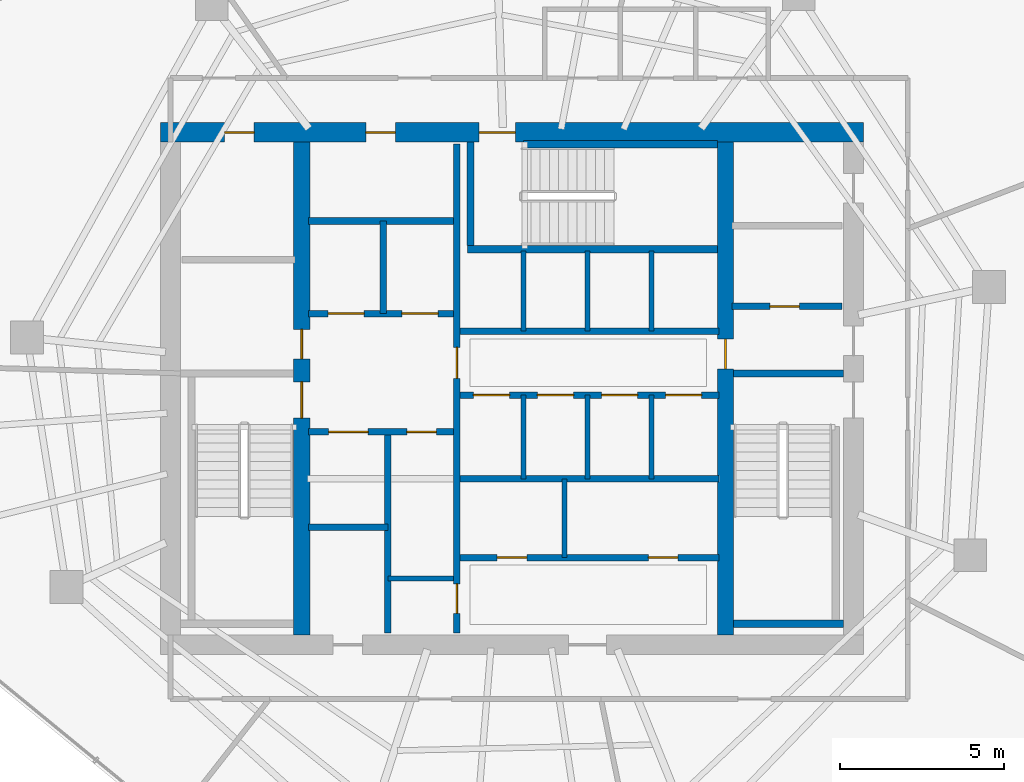
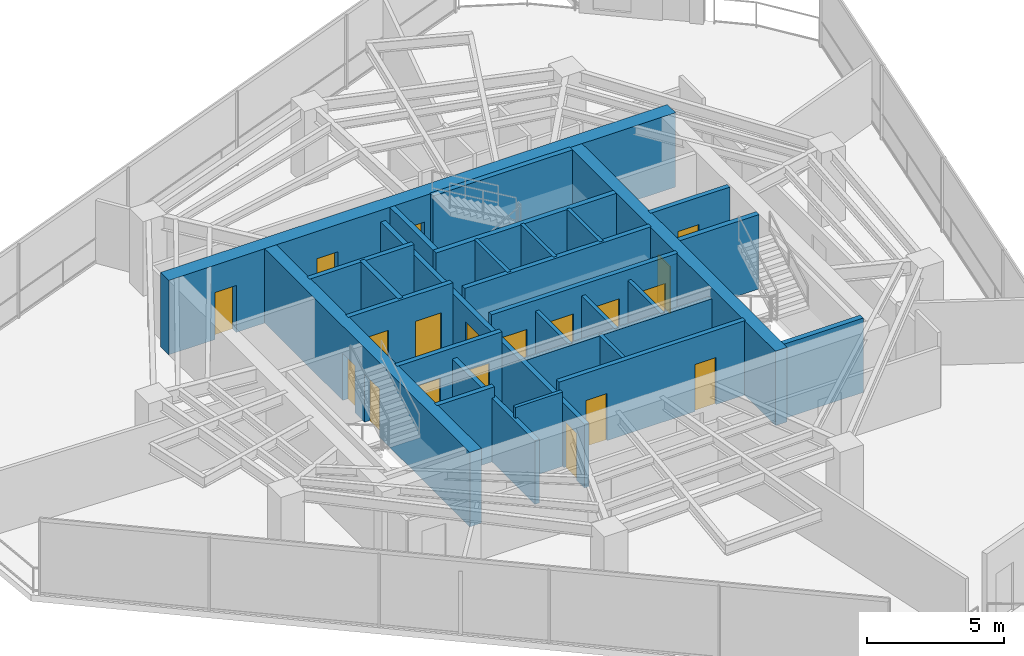
# One storey, part 15 of 19: 28 walls, 19 doors, 19 openings.
"""IFC4 building model written with IfcOpenShell, lengths in metres."""

from ifc_helpers import new_model, si_unit, direction, frame, frame_2d, origin, place, context, subcontext, project, spatial, rectangle, extrude, material, layer, layer_set, type_object, element, fill, save


model = new_model("IFC4")

# Units and contexts
model_context = context("Model", 3, precision=1e-05, world=origin(), true_north=direction((0.0, 1.0)))
body_context = subcontext(model_context, "Body", "Model", "MODEL_VIEW")
ifc_project = project(units=[si_unit("LENGTHUNIT", "METRE"), si_unit("AREAUNIT", "SQUARE_METRE"), si_unit("VOLUMEUNIT", "CUBIC_METRE"), si_unit("PLANEANGLEUNIT", "RADIAN"), si_unit("MASSUNIT", "GRAM", prefix="KILO")], contexts=[model_context])

# Site, building, storey
site_placement = place(None, origin())
site = spatial("IfcSite", under=ifc_project, at=site_placement, CompositionType="ELEMENT")
building_placement = place(site_placement, origin())
building = spatial("IfcBuilding", under=site, at=building_placement, Name="Qarnah Convention Tower", CompositionType="ELEMENT")
storey_placement = place(building_placement, frame((0.0, 0.0, 143.699951171875)))
storey = spatial("IfcBuildingStorey", under=building, at=storey_placement, Name="L38", CompositionType="ELEMENT", Elevation=143.699951171875)

# Wall, openings, doors
ifc_material_1 = material(Name="Concrete C60/75", Category="concrete")
ifc_layer_1 = layer(ifc_material_1, 0.60009765625)
ifc_layer_set_1 = layer_set([ifc_layer_1], Name="Concrete C60/75")
wall_type_1 = type_object("IfcWallType", Name="WL-CORE-600", PredefinedType="SHEAR", material=ifc_layer_set_1)
wall_1_placement = place(storey_placement, frame((26.5, 34.199951171875, 0.0), z_axis=(0.0, 0.0, 1.0), x_axis=(1.0, 0.0, 0.0)))
wall_1 = element("IfcWall", 1, at=wall_1_placement, inside=storey, type_object=wall_type_1, Name="L38 core north shear wall", PredefinedType="SHEAR", context=body_context, shape_type="SweptSolid", body=[
    extrude(rectangle(XDim=21.39990234375, YDim=0.60009765625, at=frame_2d((10.699951171875, 0.0))), origin(), (0.0, 0.0, 1.0), 3.320068359375),
])
opening_1_placement = place(wall_1_placement, frame((9.699951171875, 0.0, 0.0)))
opening_1 = element("IfcOpeningElement", 2, at=opening_1_placement, cuts=wall_1, Name="Opening D-3803", PredefinedType="OPENING", context=body_context, shape_type="SweptSolid", body=[
    extrude(rectangle(XDim=1.10009765625, YDim=2.14990234375, at=frame_2d((0.550048828125, 1.074951171875))), frame((0.0, 0.31005859375, 0.0), z_axis=(0.0, -1.0, 0.0), x_axis=(1.0, 0.0, 0.0)), (0.0, 0.0, 1.0), 0.6201171875),
])
opening_2_placement = place(wall_1_placement, frame((1.949951171875, 0.0, 0.0)))
opening_2 = element("IfcOpeningElement", 3, at=opening_2_placement, cuts=wall_1, Name="Opening D-3809", PredefinedType="OPENING", context=body_context, shape_type="SweptSolid", body=[
    extrude(rectangle(XDim=0.89990234375, YDim=2.10009765625, at=frame_2d((0.449951171875, 1.050048828125))), frame((0.0, 0.31005859375, 0.0), z_axis=(0.0, -1.0, 0.0), x_axis=(1.0, 0.0, 0.0)), (0.0, 0.0, 1.0), 0.6201171875),
])
opening_3_placement = place(wall_1_placement, frame((6.25, 0.0, 0.0)))
opening_3 = element("IfcOpeningElement", 4, at=opening_3_placement, cuts=wall_1, Name="Opening D-3810", PredefinedType="OPENING", context=body_context, shape_type="SweptSolid", body=[
    extrude(rectangle(XDim=0.89990234375, YDim=2.10009765625, at=frame_2d((0.449951171875, 1.050048828125))), frame((0.0, 0.31005859375, 0.0), z_axis=(0.0, -1.0, 0.0), x_axis=(1.0, 0.0, 0.0)), (0.0, 0.0, 1.0), 0.6201171875),
])
ifc_material_2 = material(Name="Structural steel S355JR", Category="steel")
door_type_1 = type_object("IfcDoorType", Name="DT-RISER-900", OperationType="NOTDEFINED", PredefinedType="DOOR", material=ifc_material_2)
door_1_placement = place(opening_2_placement, origin())
door_1 = element("IfcDoor", 5, at=door_1_placement, inside=storey, type_object=door_type_1, Name="Door D-3809", OperationType="SINGLE_SWING_RIGHT", OverallHeight=2.10009765625, OverallWidth=0.89990234375, PredefinedType="DOOR", context=body_context, shape_type="SweptSolid", body=[
    extrude(rectangle(XDim=0.89990234375, YDim=2.10009765625, at=frame_2d((0.449951171875, 1.050048828125))), frame((0.0, 0.02490234375, 0.0), z_axis=(0.0, -1.0, 0.0), x_axis=(1.0, 0.0, 0.0)), (0.0, 0.0, 1.0), 0.050048828125),
])
fill(opening_2, door_1)
door_2_placement = place(opening_3_placement, origin())
door_2 = element("IfcDoor", 6, at=door_2_placement, inside=storey, type_object=door_type_1, Name="Door D-3810", OperationType="SINGLE_SWING_LEFT", OverallHeight=2.10009765625, OverallWidth=0.89990234375, PredefinedType="DOOR", context=body_context, shape_type="SweptSolid", body=[
    extrude(rectangle(XDim=0.89990234375, YDim=2.10009765625, at=frame_2d((0.449951171875, 1.050048828125))), frame((0.0, 0.02490234375, 0.0), z_axis=(0.0, -1.0, 0.0), x_axis=(1.0, 0.0, 0.0)), (0.0, 0.0, 1.0), 0.050048828125),
])
fill(opening_3, door_2)
door_type_2 = type_object("IfcDoorType", Name="DT-STAIR-1100", OperationType="NOTDEFINED", PredefinedType="DOOR", material=ifc_material_2)
door_3_placement = place(opening_1_placement, origin())
door_3 = element("IfcDoor", 7, at=door_3_placement, inside=storey, type_object=door_type_2, Name="Door D-3803", OperationType="SINGLE_SWING_RIGHT", OverallHeight=2.14990234375, OverallWidth=1.10009765625, PredefinedType="DOOR", context=body_context, shape_type="SweptSolid", body=[
    extrude(rectangle(XDim=1.10009765625, YDim=2.14990234375, at=frame_2d((0.550048828125, 1.074951171875))), frame((0.0, 0.02490234375, 0.0), z_axis=(0.0, -1.0, 0.0), x_axis=(1.0, 0.0, 0.0)), (0.0, 0.0, 1.0), 0.050048828125),
])
fill(opening_1, door_3)

ifc_layer_2 = layer(ifc_material_1, 0.5)
ifc_layer_set_2 = layer_set([ifc_layer_2], Name="Concrete C60/75")
wall_type_2 = type_object("IfcWallType", Name="WL-CORE-INT-400", PredefinedType="SHEAR", material=ifc_layer_set_2)
wall_2_placement = place(storey_placement, frame((30.800048828125, 18.89990234375, 0.0), z_axis=(0.0, 0.0, 1.0), x_axis=(0.0, 1.0, 0.0)))
wall_2 = element("IfcWall", 8, at=wall_2_placement, inside=storey, type_object=wall_type_2, Name="L38 core west spine shear wall", PredefinedType="SHEAR", context=body_context, shape_type="SweptSolid", body=[
    extrude(rectangle(XDim=15.0, YDim=0.5, at=frame_2d((7.5, 0.0))), origin(), (0.0, 0.0, 1.0), 3.320068359375),
])
opening_4_placement = place(wall_2_placement, frame((6.60009765625, 0.0, 0.0)))
opening_4 = element("IfcOpeningElement", 9, at=opening_4_placement, cuts=wall_2, Name="Opening D-3801", PredefinedType="OPENING", context=body_context, shape_type="SweptSolid", body=[
    extrude(rectangle(XDim=1.10009765625, YDim=2.14990234375, at=frame_2d((0.550048828125, 1.074951171875))), frame((0.0, 0.260009765625, 0.0), z_axis=(0.0, -1.0, 0.0), x_axis=(1.0, 0.0, 0.0)), (0.0, 0.0, 1.0), 0.52001953125),
])
opening_5_placement = place(wall_2_placement, frame((8.39990234375, 0.0, 0.0)))
opening_5 = element("IfcOpeningElement", 10, at=opening_5_placement, cuts=wall_2, Name="Opening D-3808", PredefinedType="OPENING", context=body_context, shape_type="SweptSolid", body=[
    extrude(rectangle(XDim=0.89990234375, YDim=2.10009765625, at=frame_2d((0.449951171875, 1.050048828125))), frame((0.0, 0.260009765625, 0.0), z_axis=(0.0, -1.0, 0.0), x_axis=(1.0, 0.0, 0.0)), (0.0, 0.0, 1.0), 0.52001953125),
])
door_4_placement = place(opening_5_placement, origin())
door_4 = element("IfcDoor", 11, at=door_4_placement, inside=storey, type_object=door_type_1, Name="Door D-3808", OperationType="SINGLE_SWING_LEFT", OverallHeight=2.10009765625, OverallWidth=0.89990234375, PredefinedType="DOOR", context=body_context, shape_type="SweptSolid", body=[
    extrude(rectangle(XDim=0.89990234375, YDim=2.10009765625, at=frame_2d((0.449951171875, 1.050048828125))), frame((0.0, 0.02490234375, 0.0), z_axis=(0.0, -1.0, 0.0), x_axis=(1.0, 0.0, 0.0)), (0.0, 0.0, 1.0), 0.050048828125),
])
fill(opening_5, door_4)
door_5_placement = place(opening_4_placement, origin())
door_5 = element("IfcDoor", 12, at=door_5_placement, inside=storey, type_object=door_type_2, Name="Door D-3801", OperationType="SINGLE_SWING_RIGHT", OverallHeight=2.14990234375, OverallWidth=1.10009765625, PredefinedType="DOOR", context=body_context, shape_type="SweptSolid", body=[
    extrude(rectangle(XDim=1.10009765625, YDim=2.14990234375, at=frame_2d((0.550048828125, 1.074951171875))), frame((0.0, 0.02490234375, 0.0), z_axis=(0.0, -1.0, 0.0), x_axis=(1.0, 0.0, 0.0)), (0.0, 0.0, 1.0), 0.050048828125),
])
fill(opening_4, door_5)

# Wall, opening, door
wall_3_placement = place(storey_placement, frame((43.699951171875, 18.89990234375, 0.0), z_axis=(0.0, 0.0, 1.0), x_axis=(0.0, 1.0, 0.0)))
wall_3 = element("IfcWall", 13, at=wall_3_placement, inside=storey, type_object=wall_type_2, Name="L38 core east spine shear wall", PredefinedType="SHEAR", context=body_context, shape_type="SweptSolid", body=[
    extrude(rectangle(XDim=15.0, YDim=0.5, at=frame_2d((7.5, 0.0))), origin(), (0.0, 0.0, 1.0), 3.320068359375),
])
opening_6_placement = place(wall_3_placement, frame((8.10009765625, 0.0, 0.0)))
opening_6 = element("IfcOpeningElement", 14, at=opening_6_placement, cuts=wall_3, Name="Opening D-3805", PredefinedType="OPENING", context=body_context, shape_type="SweptSolid", body=[
    extrude(rectangle(XDim=0.89990234375, YDim=2.10009765625, at=frame_2d((0.449951171875, 1.050048828125))), frame((0.0, 0.260009765625, 0.0), z_axis=(0.0, -1.0, 0.0), x_axis=(1.0, 0.0, 0.0)), (0.0, 0.0, 1.0), 0.52001953125),
])
door_6_placement = place(opening_6_placement, origin())
door_6 = element("IfcDoor", 15, at=door_6_placement, inside=storey, type_object=door_type_1, Name="Door D-3805", OperationType="SINGLE_SWING_RIGHT", OverallHeight=2.10009765625, OverallWidth=0.89990234375, PredefinedType="DOOR", context=body_context, shape_type="SweptSolid", body=[
    extrude(rectangle(XDim=0.89990234375, YDim=2.10009765625, at=frame_2d((0.449951171875, 1.050048828125))), frame((0.0, 0.02490234375, 0.0), z_axis=(0.0, -1.0, 0.0), x_axis=(1.0, 0.0, 0.0)), (0.0, 0.0, 1.0), 0.050048828125),
])
fill(opening_6, door_6)

ifc_material_3 = material(Name="Concrete C45/55", Category="concrete")
ifc_layer_3 = layer(ifc_material_3, 0.199951171875)
ifc_layer_set_3 = layer_set([ifc_layer_3], Name="Concrete C45/55")
wall_type_3 = type_object("IfcWallType", Name="WL-CORE-PART-200", PredefinedType="SOLIDWALL", material=ifc_layer_set_3)
wall_4_placement = place(storey_placement, frame((43.89990234375, 28.89990234375, 0.0), z_axis=(0.0, 0.0, 1.0), x_axis=(1.0, 0.0, 0.0)))
wall_4 = element("IfcWall", 16, at=wall_4_placement, inside=storey, type_object=wall_type_3, Name="L38 interior wall IW-L38-EVSTN", PredefinedType="SOLIDWALL", context=body_context, shape_type="SweptSolid", body=[
    extrude(rectangle(XDim=3.35009765625, YDim=0.199951171875, at=frame_2d((1.675048828125, 0.0))), origin(), (0.0, 0.0, 1.0), 3.320068359375),
])
opening_7_placement = place(wall_4_placement, frame((1.14990234375, 0.0, 0.0)))
opening_7 = element("IfcOpeningElement", 17, at=opening_7_placement, cuts=wall_4, Name="Opening D-3811", PredefinedType="OPENING", context=body_context, shape_type="SweptSolid", body=[
    extrude(rectangle(XDim=0.89990234375, YDim=2.10009765625, at=frame_2d((0.449951171875, 1.050048828125))), frame((0.0, 0.10986328125, 0.0), z_axis=(0.0, -1.0, 0.0), x_axis=(1.0, 0.0, 0.0)), (0.0, 0.0, 1.0), 0.219970703125),
])
door_7_placement = place(opening_7_placement, origin())
door_7 = element("IfcDoor", 18, at=door_7_placement, inside=storey, type_object=door_type_1, Name="Door D-3811", OperationType="SINGLE_SWING_RIGHT", OverallHeight=2.10009765625, OverallWidth=0.89990234375, PredefinedType="DOOR", context=body_context, shape_type="SweptSolid", body=[
    extrude(rectangle(XDim=0.89990234375, YDim=2.10009765625, at=frame_2d((0.449951171875, 1.050048828125))), frame((0.0, 0.02490234375, 0.0), z_axis=(0.0, -1.0, 0.0), x_axis=(1.0, 0.0, 0.0)), (0.0, 0.0, 1.0), 0.050048828125),
])
fill(opening_7, door_7)

# Wall, openings, doors
wall_5_placement = place(storey_placement, frame((35.52001953125, 18.949951171875, 0.0), z_axis=(0.0, 0.0, 1.0), x_axis=(0.0, 1.0, 0.0)))
wall_5 = element("IfcWall", 19, at=wall_5_placement, inside=storey, type_object=wall_type_3, Name="L38 interior wall IW-L38-CSP", PredefinedType="SOLIDWALL", context=body_context, shape_type="SweptSolid", body=[
    extrude(rectangle(XDim=14.900146484375, YDim=0.199951171875, at=frame_2d((7.4501953125, 0.0))), origin(), (0.0, 0.0, 1.0), 2.841064453125),
])
opening_8_placement = place(wall_5_placement, frame((7.7548828125, 0.0, 0.0)))
opening_8 = element("IfcOpeningElement", 20, at=opening_8_placement, cuts=wall_5, Name="Opening D-3804", PredefinedType="OPENING", context=body_context, shape_type="SweptSolid", body=[
    extrude(rectangle(XDim=0.949951171875, YDim=2.14990234375, at=frame_2d((0.47509765625, 1.074951171875))), frame((0.0, 0.10986328125, 0.0), z_axis=(0.0, -1.0, 0.0), x_axis=(1.0, 0.0, 0.0)), (0.0, 0.0, 1.0), 0.219970703125),
])
opening_9_placement = place(wall_5_placement, frame((0.60009765625, 0.0, 0.0)))
opening_9 = element("IfcOpeningElement", 21, at=opening_9_placement, cuts=wall_5, Name="Opening D-3814", PredefinedType="OPENING", context=body_context, shape_type="SweptSolid", body=[
    extrude(rectangle(XDim=0.89990234375, YDim=2.10009765625, at=frame_2d((0.449951171875, 1.050048828125))), frame((0.0, 0.10986328125, 0.0), z_axis=(0.0, -1.0, 0.0), x_axis=(1.0, 0.0, 0.0)), (0.0, 0.0, 1.0), 0.219970703125),
])
ifc_material_4 = material(Name="Oak timber veneer", Category="wood")
door_type_3 = type_object("IfcDoorType", Name="DT-HOTEL-950", OperationType="NOTDEFINED", PredefinedType="DOOR", material=ifc_material_4)
door_8_placement = place(opening_8_placement, origin())
door_8 = element("IfcDoor", 22, at=door_8_placement, inside=storey, type_object=door_type_3, Name="Door D-3804", OperationType="SINGLE_SWING_LEFT", OverallHeight=2.14990234375, OverallWidth=0.949951171875, PredefinedType="DOOR", context=body_context, shape_type="SweptSolid", body=[
    extrude(rectangle(XDim=0.949951171875, YDim=2.14990234375, at=frame_2d((0.47509765625, 1.074951171875))), frame((0.0, 0.02490234375, 0.0), z_axis=(0.0, -1.0, 0.0), x_axis=(1.0, 0.0, 0.0)), (0.0, 0.0, 1.0), 0.050048828125),
])
fill(opening_8, door_8)
door_9_placement = place(opening_9_placement, origin())
door_9 = element("IfcDoor", 23, at=door_9_placement, inside=storey, type_object=door_type_1, Name="Door D-3814", OperationType="SINGLE_SWING_LEFT", OverallHeight=2.10009765625, OverallWidth=0.89990234375, PredefinedType="DOOR", context=body_context, shape_type="SweptSolid", body=[
    extrude(rectangle(XDim=0.89990234375, YDim=2.10009765625, at=frame_2d((0.449951171875, 1.050048828125))), frame((0.0, 0.02490234375, 0.0), z_axis=(0.0, -1.0, 0.0), x_axis=(1.0, 0.0, 0.0)), (0.0, 0.0, 1.0), 0.050048828125),
])
fill(opening_9, door_9)

wall_6_placement = place(storey_placement, frame((31.0, 28.679931640625, 0.0), z_axis=(0.0, 0.0, 1.0), x_axis=(1.0, 0.0, 0.0)))
wall_6 = element("IfcWall", 24, at=wall_6_placement, inside=storey, type_object=wall_type_3, Name="L38 interior wall IW-L38-FFLS", PredefinedType="SOLIDWALL", context=body_context, shape_type="SweptSolid", body=[
    extrude(rectangle(XDim=4.419921875, YDim=0.199951171875, at=frame_2d((2.2099609375, 0.0))), origin(), (0.0, 0.0, 1.0), 3.320068359375),
])
opening_10_placement = place(wall_6_placement, frame((0.60009765625, 0.0, 0.0)))
opening_10 = element("IfcOpeningElement", 25, at=opening_10_placement, cuts=wall_6, Name="Opening LD-3801", PredefinedType="OPENING", context=body_context, shape_type="SweptSolid", body=[
    extrude(rectangle(XDim=1.10009765625, YDim=2.14990234375, at=frame_2d((0.550048828125, 1.074951171875))), frame((0.0, 0.10986328125, 0.0), z_axis=(0.0, -1.0, 0.0), x_axis=(1.0, 0.0, 0.0)), (0.0, 0.0, 1.0), 0.219970703125),
])
opening_11_placement = place(wall_6_placement, frame((2.85009765625, 0.0, 0.0)))
opening_11 = element("IfcOpeningElement", 26, at=opening_11_placement, cuts=wall_6, Name="Opening LD-3802", PredefinedType="OPENING", context=body_context, shape_type="SweptSolid", body=[
    extrude(rectangle(XDim=1.10009765625, YDim=2.14990234375, at=frame_2d((0.550048828125, 1.074951171875))), frame((0.0, 0.10986328125, 0.0), z_axis=(0.0, -1.0, 0.0), x_axis=(1.0, 0.0, 0.0)), (0.0, 0.0, 1.0), 0.219970703125),
])
door_type_4 = type_object("IfcDoorType", Name="DT-LIFT-1100", OperationType="SLIDING_TO_LEFT", PredefinedType="DOOR", material=ifc_material_2)
door_10_placement = place(opening_10_placement, origin())
door_10 = element("IfcDoor", 27, at=door_10_placement, inside=storey, type_object=door_type_4, Name="Door LD-3801", OperationType="SLIDING_TO_LEFT", OverallHeight=2.14990234375, OverallWidth=1.10009765625, PredefinedType="DOOR", context=body_context, shape_type="SweptSolid", body=[
    extrude(rectangle(XDim=1.10009765625, YDim=2.14990234375, at=frame_2d((0.550048828125, 1.074951171875))), frame((0.0, 0.02490234375, 0.0), z_axis=(0.0, -1.0, 0.0), x_axis=(1.0, 0.0, 0.0)), (0.0, 0.0, 1.0), 0.050048828125),
])
fill(opening_10, door_10)
door_11_placement = place(opening_11_placement, origin())
door_11 = element("IfcDoor", 28, at=door_11_placement, inside=storey, type_object=door_type_4, Name="Door LD-3802", OperationType="SLIDING_TO_LEFT", OverallHeight=2.14990234375, OverallWidth=1.10009765625, PredefinedType="DOOR", context=body_context, shape_type="SweptSolid", body=[
    extrude(rectangle(XDim=1.10009765625, YDim=2.14990234375, at=frame_2d((0.550048828125, 1.074951171875))), frame((0.0, 0.02490234375, 0.0), z_axis=(0.0, -1.0, 0.0), x_axis=(1.0, 0.0, 0.0)), (0.0, 0.0, 1.0), 0.050048828125),
])
fill(opening_11, door_11)

# Walls
wall_7_placement = place(storey_placement, frame((31.0, 31.5, 0.0), z_axis=(0.0, 0.0, 1.0), x_axis=(1.0, 0.0, 0.0)))
element("IfcWall", 29, at=wall_7_placement, inside=storey, type_object=wall_type_3, Name="L38 interior wall IW-L38-FFLN", PredefinedType="SOLIDWALL", context=body_context, shape_type="SweptSolid", body=[
    extrude(rectangle(XDim=4.419921875, YDim=0.199951171875, at=frame_2d((2.2099609375, 0.0))), origin(), (0.0, 0.0, 1.0), 3.320068359375),
])
wall_8_placement = place(storey_placement, frame((33.280029296875, 28.679931640625, 0.0), z_axis=(0.0, 0.0, 1.0), x_axis=(0.0, 1.0, 0.0)))
element("IfcWall", 30, at=wall_8_placement, inside=storey, type_object=wall_type_3, Name="L38 interior wall IW-L38-FFLM", PredefinedType="SOLIDWALL", context=body_context, shape_type="SweptSolid", body=[
    extrude(rectangle(XDim=2.820068359375, YDim=0.199951171875, at=frame_2d((1.41015625, 0.0))), origin(), (0.0, 0.0, 1.0), 3.320068359375),
])

# Wall, openings, doors
wall_9_placement = place(storey_placement, frame((31.0, 25.080078125, 0.0), z_axis=(0.0, 0.0, 1.0), x_axis=(1.0, 0.0, 0.0)))
wall_9 = element("IfcWall", 31, at=wall_9_placement, inside=storey, type_object=wall_type_3, Name="L38 interior wall IW-L38-FFLBS", PredefinedType="SOLIDWALL", context=body_context, shape_type="SweptSolid", body=[
    extrude(rectangle(XDim=4.419921875, YDim=0.199951171875, at=frame_2d((2.2099609375, 0.0))), origin(), (0.0, 0.0, 1.0), 3.320068359375),
])
opening_12_placement = place(wall_9_placement, frame((3.0, 0.0, 0.0)))
opening_12 = element("IfcOpeningElement", 32, at=opening_12_placement, cuts=wall_9, Name="Opening D-3815", PredefinedType="OPENING", context=body_context, shape_type="SweptSolid", body=[
    extrude(rectangle(XDim=0.89990234375, YDim=2.10009765625, at=frame_2d((0.449951171875, 1.050048828125))), frame((0.0, 0.10986328125, 0.0), z_axis=(0.0, -1.0, 0.0), x_axis=(1.0, 0.0, 0.0)), (0.0, 0.0, 1.0), 0.219970703125),
])
opening_13_placement = place(wall_9_placement, frame((0.6201171875, 0.0, 0.0)))
opening_13 = element("IfcOpeningElement", 33, at=opening_13_placement, cuts=wall_9, Name="Opening LD-3803", PredefinedType="OPENING", context=body_context, shape_type="SweptSolid", body=[
    extrude(rectangle(XDim=1.199951171875, YDim=2.14990234375, at=frame_2d((0.60009765625, 1.074951171875))), frame((0.0, 0.10986328125, 0.0), z_axis=(0.0, -1.0, 0.0), x_axis=(1.0, 0.0, 0.0)), (0.0, 0.0, 1.0), 0.219970703125),
])
door_type_5 = type_object("IfcDoorType", Name="DT-LIFT-1200", OperationType="SLIDING_TO_LEFT", PredefinedType="DOOR", material=ifc_material_2)
door_12_placement = place(opening_13_placement, origin())
door_12 = element("IfcDoor", 34, at=door_12_placement, inside=storey, type_object=door_type_5, Name="Door LD-3803", OperationType="SLIDING_TO_LEFT", OverallHeight=2.14990234375, OverallWidth=1.199951171875, PredefinedType="DOOR", context=body_context, shape_type="SweptSolid", body=[
    extrude(rectangle(XDim=1.199951171875, YDim=2.14990234375, at=frame_2d((0.60009765625, 1.074951171875))), frame((0.0, 0.02490234375, 0.0), z_axis=(0.0, -1.0, 0.0), x_axis=(1.0, 0.0, 0.0)), (0.0, 0.0, 1.0), 0.050048828125),
])
fill(opening_13, door_12)
door_13_placement = place(opening_12_placement, origin())
door_13 = element("IfcDoor", 35, at=door_13_placement, inside=storey, type_object=door_type_1, Name="Door D-3815", OperationType="SINGLE_SWING_RIGHT", OverallHeight=2.10009765625, OverallWidth=0.89990234375, PredefinedType="DOOR", context=body_context, shape_type="SweptSolid", body=[
    extrude(rectangle(XDim=0.89990234375, YDim=2.10009765625, at=frame_2d((0.449951171875, 1.050048828125))), frame((0.0, 0.02490234375, 0.0), z_axis=(0.0, -1.0, 0.0), x_axis=(1.0, 0.0, 0.0)), (0.0, 0.0, 1.0), 0.050048828125),
])
fill(opening_12, door_13)

# Walls
wall_10_placement = place(storey_placement, frame((33.419921875, 18.949951171875, 0.0), z_axis=(0.0, 0.0, 1.0), x_axis=(0.0, 1.0, 0.0)))
element("IfcWall", 36, at=wall_10_placement, inside=storey, type_object=wall_type_3, Name="L38 interior wall IW-L38-SVLE", PredefinedType="SOLIDWALL", context=body_context, shape_type="SweptSolid", body=[
    extrude(rectangle(XDim=6.130126953125, YDim=0.199951171875, at=frame_2d((3.06494140625, 0.0))), origin(), (0.0, 0.0, 1.0), 2.841064453125),
])
wall_11_placement = place(storey_placement, frame((31.0, 22.179931640625, 0.0), z_axis=(0.0, 0.0, 1.0), x_axis=(1.0, 0.0, 0.0)))
element("IfcWall", 37, at=wall_11_placement, inside=storey, type_object=wall_type_3, Name="L38 interior wall IW-L38-SVLS", PredefinedType="SOLIDWALL", context=body_context, shape_type="SweptSolid", body=[
    extrude(rectangle(XDim=2.419921875, YDim=0.199951171875, at=frame_2d((1.2099609375, 0.0))), origin(), (0.0, 0.0, 1.0), 3.320068359375),
])
wall_12_placement = place(storey_placement, frame((35.6201171875, 28.14990234375, 0.0), z_axis=(0.0, 0.0, 1.0), x_axis=(1.0, 0.0, 0.0)))
element("IfcWall", 38, at=wall_12_placement, inside=storey, type_object=wall_type_3, Name="L38 interior wall IW-L38-PHS", PredefinedType="SOLIDWALL", context=body_context, shape_type="SweptSolid", body=[
    extrude(rectangle(XDim=7.8798828125, YDim=0.199951171875, at=frame_2d((3.93994140625, 0.0))), origin(), (0.0, 0.0, 1.0), 3.320068359375),
])

# Wall, openings, doors
wall_13_placement = place(storey_placement, frame((35.6201171875, 26.199951171875, 0.0), z_axis=(0.0, 0.0, 1.0), x_axis=(1.0, 0.0, 0.0)))
wall_13 = element("IfcWall", 39, at=wall_13_placement, inside=storey, type_object=wall_type_3, Name="L38 interior wall IW-L38-PMN", PredefinedType="SOLIDWALL", context=body_context, shape_type="SweptSolid", body=[
    extrude(rectangle(XDim=7.8798828125, YDim=0.199951171875, at=frame_2d((3.93994140625, 0.0))), origin(), (0.0, 0.0, 1.0), 3.320068359375),
])
opening_14_placement = place(wall_13_placement, frame((0.405029296875, 0.0, 0.0)))
opening_14 = element("IfcOpeningElement", 40, at=opening_14_placement, cuts=wall_13, Name="Opening LD-3804", PredefinedType="OPENING", context=body_context, shape_type="SweptSolid", body=[
    extrude(rectangle(XDim=1.10009765625, YDim=2.14990234375, at=frame_2d((0.550048828125, 1.074951171875))), frame((0.0, 0.10986328125, 0.0), z_axis=(0.0, -1.0, 0.0), x_axis=(1.0, 0.0, 0.0)), (0.0, 0.0, 1.0), 0.219970703125),
])
opening_15_placement = place(wall_13_placement, frame((2.35498046875, 0.0, 0.0)))
opening_15 = element("IfcOpeningElement", 41, at=opening_15_placement, cuts=wall_13, Name="Opening LD-3805", PredefinedType="OPENING", context=body_context, shape_type="SweptSolid", body=[
    extrude(rectangle(XDim=1.10009765625, YDim=2.14990234375, at=frame_2d((0.550048828125, 1.074951171875))), frame((0.0, 0.10986328125, 0.0), z_axis=(0.0, -1.0, 0.0), x_axis=(1.0, 0.0, 0.0)), (0.0, 0.0, 1.0), 0.219970703125),
])
opening_16_placement = place(wall_13_placement, frame((4.304931640625, 0.0, 0.0)))
opening_16 = element("IfcOpeningElement", 42, at=opening_16_placement, cuts=wall_13, Name="Opening LD-3806", PredefinedType="OPENING", context=body_context, shape_type="SweptSolid", body=[
    extrude(rectangle(XDim=1.10009765625, YDim=2.14990234375, at=frame_2d((0.550048828125, 1.074951171875))), frame((0.0, 0.10986328125, 0.0), z_axis=(0.0, -1.0, 0.0), x_axis=(1.0, 0.0, 0.0)), (0.0, 0.0, 1.0), 0.219970703125),
])
opening_17_placement = place(wall_13_placement, frame((6.2548828125, 0.0, 0.0)))
opening_17 = element("IfcOpeningElement", 43, at=opening_17_placement, cuts=wall_13, Name="Opening LD-3807", PredefinedType="OPENING", context=body_context, shape_type="SweptSolid", body=[
    extrude(rectangle(XDim=1.10009765625, YDim=2.14990234375, at=frame_2d((0.550048828125, 1.074951171875))), frame((0.0, 0.10986328125, 0.0), z_axis=(0.0, -1.0, 0.0), x_axis=(1.0, 0.0, 0.0)), (0.0, 0.0, 1.0), 0.219970703125),
])
door_14_placement = place(opening_14_placement, origin())
door_14 = element("IfcDoor", 44, at=door_14_placement, inside=storey, type_object=door_type_4, Name="Door LD-3804", OperationType="SLIDING_TO_LEFT", OverallHeight=2.14990234375, OverallWidth=1.10009765625, PredefinedType="DOOR", context=body_context, shape_type="SweptSolid", body=[
    extrude(rectangle(XDim=1.10009765625, YDim=2.14990234375, at=frame_2d((0.550048828125, 1.074951171875))), frame((0.0, 0.02490234375, 0.0), z_axis=(0.0, -1.0, 0.0), x_axis=(1.0, 0.0, 0.0)), (0.0, 0.0, 1.0), 0.050048828125),
])
fill(opening_14, door_14)
door_15_placement = place(opening_15_placement, origin())
door_15 = element("IfcDoor", 45, at=door_15_placement, inside=storey, type_object=door_type_4, Name="Door LD-3805", OperationType="SLIDING_TO_LEFT", OverallHeight=2.14990234375, OverallWidth=1.10009765625, PredefinedType="DOOR", context=body_context, shape_type="SweptSolid", body=[
    extrude(rectangle(XDim=1.10009765625, YDim=2.14990234375, at=frame_2d((0.550048828125, 1.074951171875))), frame((0.0, 0.02490234375, 0.0), z_axis=(0.0, -1.0, 0.0), x_axis=(1.0, 0.0, 0.0)), (0.0, 0.0, 1.0), 0.050048828125),
])
fill(opening_15, door_15)
door_16_placement = place(opening_16_placement, origin())
door_16 = element("IfcDoor", 46, at=door_16_placement, inside=storey, type_object=door_type_4, Name="Door LD-3806", OperationType="SLIDING_TO_LEFT", OverallHeight=2.14990234375, OverallWidth=1.10009765625, PredefinedType="DOOR", context=body_context, shape_type="SweptSolid", body=[
    extrude(rectangle(XDim=1.10009765625, YDim=2.14990234375, at=frame_2d((0.550048828125, 1.074951171875))), frame((0.0, 0.02490234375, 0.0), z_axis=(0.0, -1.0, 0.0), x_axis=(1.0, 0.0, 0.0)), (0.0, 0.0, 1.0), 0.050048828125),
])
fill(opening_16, door_16)
door_17_placement = place(opening_17_placement, origin())
door_17 = element("IfcDoor", 47, at=door_17_placement, inside=storey, type_object=door_type_4, Name="Door LD-3807", OperationType="SLIDING_TO_LEFT", OverallHeight=2.14990234375, OverallWidth=1.10009765625, PredefinedType="DOOR", context=body_context, shape_type="SweptSolid", body=[
    extrude(rectangle(XDim=1.10009765625, YDim=2.14990234375, at=frame_2d((0.550048828125, 1.074951171875))), frame((0.0, 0.02490234375, 0.0), z_axis=(0.0, -1.0, 0.0), x_axis=(1.0, 0.0, 0.0)), (0.0, 0.0, 1.0), 0.050048828125),
])
fill(opening_17, door_17)

# Wall
wall_14_placement = place(storey_placement, frame((35.6201171875, 23.64990234375, 0.0), z_axis=(0.0, 0.0, 1.0), x_axis=(1.0, 0.0, 0.0)))
element("IfcWall", 48, at=wall_14_placement, inside=storey, type_object=wall_type_3, Name="L38 interior wall IW-L38-PMPL", PredefinedType="SOLIDWALL", context=body_context, shape_type="SweptSolid", body=[
    extrude(rectangle(XDim=7.8798828125, YDim=0.199951171875, at=frame_2d((3.93994140625, 0.0))), origin(), (0.0, 0.0, 1.0), 2.841064453125),
])

# Wall, openings, doors
wall_15_placement = place(storey_placement, frame((35.6201171875, 21.25, 0.0), z_axis=(0.0, 0.0, 1.0), x_axis=(1.0, 0.0, 0.0)))
wall_15 = element("IfcWall", 49, at=wall_15_placement, inside=storey, type_object=wall_type_3, Name="L38 interior wall IW-L38-PLS", PredefinedType="SOLIDWALL", context=body_context, shape_type="SweptSolid", body=[
    extrude(rectangle(XDim=7.8798828125, YDim=0.199951171875, at=frame_2d((3.93994140625, 0.0))), origin(), (0.0, 0.0, 1.0), 3.320068359375),
])
opening_18_placement = place(wall_15_placement, frame((1.1298828125, 0.0, 0.0)))
opening_18 = element("IfcOpeningElement", 50, at=opening_18_placement, cuts=wall_15, Name="Opening D-3816", PredefinedType="OPENING", context=body_context, shape_type="SweptSolid", body=[
    extrude(rectangle(XDim=0.89990234375, YDim=2.10009765625, at=frame_2d((0.449951171875, 1.050048828125))), frame((0.0, 0.10986328125, 0.0), z_axis=(0.0, -1.0, 0.0), x_axis=(1.0, 0.0, 0.0)), (0.0, 0.0, 1.0), 0.219970703125),
])
opening_19_placement = place(wall_15_placement, frame((5.72998046875, 0.0, 0.0)))
opening_19 = element("IfcOpeningElement", 51, at=opening_19_placement, cuts=wall_15, Name="Opening D-3817", PredefinedType="OPENING", context=body_context, shape_type="SweptSolid", body=[
    extrude(rectangle(XDim=0.89990234375, YDim=2.10009765625, at=frame_2d((0.449951171875, 1.050048828125))), frame((0.0, 0.10986328125, 0.0), z_axis=(0.0, -1.0, 0.0), x_axis=(1.0, 0.0, 0.0)), (0.0, 0.0, 1.0), 0.219970703125),
])
door_18_placement = place(opening_18_placement, origin())
door_18 = element("IfcDoor", 52, at=door_18_placement, inside=storey, type_object=door_type_1, Name="Door D-3816", OperationType="SINGLE_SWING_LEFT", OverallHeight=2.10009765625, OverallWidth=0.89990234375, PredefinedType="DOOR", context=body_context, shape_type="SweptSolid", body=[
    extrude(rectangle(XDim=0.89990234375, YDim=2.10009765625, at=frame_2d((0.449951171875, 1.050048828125))), frame((0.0, 0.02490234375, 0.0), z_axis=(0.0, -1.0, 0.0), x_axis=(1.0, 0.0, 0.0)), (0.0, 0.0, 1.0), 0.050048828125),
])
fill(opening_18, door_18)
door_19_placement = place(opening_19_placement, origin())
door_19 = element("IfcDoor", 53, at=door_19_placement, inside=storey, type_object=door_type_1, Name="Door D-3817", OperationType="SINGLE_SWING_RIGHT", OverallHeight=2.10009765625, OverallWidth=0.89990234375, PredefinedType="DOOR", context=body_context, shape_type="SweptSolid", body=[
    extrude(rectangle(XDim=0.89990234375, YDim=2.10009765625, at=frame_2d((0.449951171875, 1.050048828125))), frame((0.0, 0.02490234375, 0.0), z_axis=(0.0, -1.0, 0.0), x_axis=(1.0, 0.0, 0.0)), (0.0, 0.0, 1.0), 0.050048828125),
])
fill(opening_19, door_19)

# Walls
ifc_layer_4 = layer(ifc_material_1, 0.219970703125)
ifc_layer_set_4 = layer_set([ifc_layer_4], Name="Concrete C60/75")
wall_type_4 = type_object("IfcWallType", Name="WL-CORE-STAIR-220", PredefinedType="SHEAR", material=ifc_layer_set_4)
for number, where, z_axis, x_axis, name in (
    (54, (43.949951171875, 26.860107421875, 0.0), (0.0, 0.0, 1.0), (1.0, 0.0, 0.0), "L38 stair shaft shear wall SW-L38-ST2N"),
    (55, (43.949951171875, 19.239990234375, 0.0), (0.0, 0.0, 1.0), (1.0, 0.0, 0.0), "L38 stair shaft shear wall SW-L38-ST2S"),
):
    element("IfcWall", number, at=place(storey_placement, frame(where, z_axis=z_axis, x_axis=x_axis)), inside=storey, type_object=wall_type_4, Name=name, PredefinedType="SHEAR", context=body_context, shape_type="SweptSolid", body=[
        extrude(rectangle(XDim=3.35009765625, YDim=0.219970703125, at=frame_2d((1.675048828125, 0.0))), origin(), (0.0, 0.0, 1.0), 3.320068359375),
    ])
wall_16_placement = place(storey_placement, frame((35.840087890625, 30.639892578125, 0.0), z_axis=(0.0, 0.0, 1.0), x_axis=(1.0, 0.0, 0.0)))
element("IfcWall", 56, at=wall_16_placement, inside=storey, type_object=wall_type_4, Name="L38 stair shaft shear wall SW-L38-ST3S", PredefinedType="SHEAR", context=body_context, shape_type="SweptSolid", body=[
    extrude(rectangle(XDim=7.60986328125, YDim=0.219970703125, at=frame_2d((3.804931640625, 0.0))), origin(), (0.0, 0.0, 1.0), 3.320068359375),
])
wall_17_placement = place(storey_placement, frame((35.93994140625, 30.75, 0.0), z_axis=(0.0, 0.0, 1.0), x_axis=(0.0, 1.0, 0.0)))
element("IfcWall", 57, at=wall_17_placement, inside=storey, type_object=wall_type_4, Name="L38 stair shaft shear wall SW-L38-ST3W", PredefinedType="SHEAR", context=body_context, shape_type="SweptSolid", body=[
    extrude(rectangle(XDim=3.14990234375, YDim=0.219970703125, at=frame_2d((1.574951171875, 0.0))), origin(), (0.0, 0.0, 1.0), 3.320068359375),
])
wall_18_placement = place(storey_placement, frame((37.550048828125, 33.840087890625, 0.0), z_axis=(0.0, 0.0, 1.0), x_axis=(1.0, 0.0, 0.0)))
element("IfcWall", 58, at=wall_18_placement, inside=storey, type_object=wall_type_4, Name="L38 stair shaft shear wall SW-L38-ST3N", PredefinedType="SHEAR", context=body_context, shape_type="SweptSolid", body=[
    extrude(rectangle(XDim=5.89990234375, YDim=0.219970703125, at=frame_2d((2.949951171875, 0.0))), origin(), (0.0, 0.0, 1.0), 3.320068359375),
])
ifc_material_5 = material(Name="Gypsum partition board")
ifc_layer_5 = layer(ifc_material_5, 0.14990234375)
ifc_layer_set_5 = layer_set([ifc_layer_5], Name="Gypsum partition board")
wall_type_5 = type_object("IfcWallType", Name="WL-SUITE-150", PredefinedType="PARTITIONING", material=ifc_layer_set_5)
wall_19_placement = place(storey_placement, frame((33.419921875, 20.6201171875, 0.0), z_axis=(0.0, 0.0, 1.0), x_axis=(1.0, 0.0, 0.0)))
element("IfcWall", 59, at=wall_19_placement, inside=storey, type_object=wall_type_5, Name="L38 interior wall IW-L38-CSV1", PredefinedType="PARTITIONING", context=body_context, shape_type="SweptSolid", body=[
    extrude(rectangle(XDim=2.0, YDim=0.14990234375, at=frame_2d((1.0, 0.0))), origin(), (0.0, 0.0, 1.0), 3.320068359375),
])
for number, where, z_axis, x_axis, name in (
    (60, (37.550048828125, 28.14990234375, 0.0), (0.0, 0.0, 1.0), (0.0, 1.0, 0.0), "L38 interior wall IW-L38-PHD1"),
    (61, (39.5, 28.14990234375, 0.0), (0.0, 0.0, 1.0), (0.0, 1.0, 0.0), "L38 interior wall IW-L38-PHD2"),
    (62, (41.449951171875, 28.14990234375, 0.0), (0.0, 0.0, 1.0), (0.0, 1.0, 0.0), "L38 interior wall IW-L38-PHD3"),
):
    element("IfcWall", number, at=place(storey_placement, frame(where, z_axis=z_axis, x_axis=x_axis)), inside=storey, type_object=wall_type_5, Name=name, PredefinedType="PARTITIONING", context=body_context, shape_type="SweptSolid", body=[
        extrude(rectangle(XDim=2.43017578125, YDim=0.14990234375, at=frame_2d((1.215087890625, 0.0))), origin(), (0.0, 0.0, 1.0), 3.320068359375),
    ])
for number, where, z_axis, x_axis, name in (
    (63, (37.550048828125, 23.64990234375, 0.0), (0.0, 0.0, 1.0), (0.0, 1.0, 0.0), "L38 interior wall IW-L38-PMD1"),
    (64, (39.5, 23.64990234375, 0.0), (0.0, 0.0, 1.0), (0.0, 1.0, 0.0), "L38 interior wall IW-L38-PMD2"),
    (65, (41.449951171875, 23.64990234375, 0.0), (0.0, 0.0, 1.0), (0.0, 1.0, 0.0), "L38 interior wall IW-L38-PMD3"),
):
    element("IfcWall", number, at=place(storey_placement, frame(where, z_axis=z_axis, x_axis=x_axis)), inside=storey, type_object=wall_type_5, Name=name, PredefinedType="PARTITIONING", context=body_context, shape_type="SweptSolid", body=[
        extrude(rectangle(XDim=2.550048828125, YDim=0.14990234375, at=frame_2d((1.27490234375, 0.0))), origin(), (0.0, 0.0, 1.0), 2.841064453125),
    ])
wall_20_placement = place(storey_placement, frame((38.800048828125, 21.25, 0.0), z_axis=(0.0, 0.0, 1.0), x_axis=(0.0, 1.0, 0.0)))
element("IfcWall", 66, at=wall_20_placement, inside=storey, type_object=wall_type_5, Name="L38 interior wall IW-L38-PLFD", PredefinedType="PARTITIONING", context=body_context, shape_type="SweptSolid", body=[
    extrude(rectangle(XDim=2.39990234375, YDim=0.14990234375, at=frame_2d((1.199951171875, 0.0))), origin(), (0.0, 0.0, 1.0), 2.841064453125),
])

save(model, "model.ifc")
